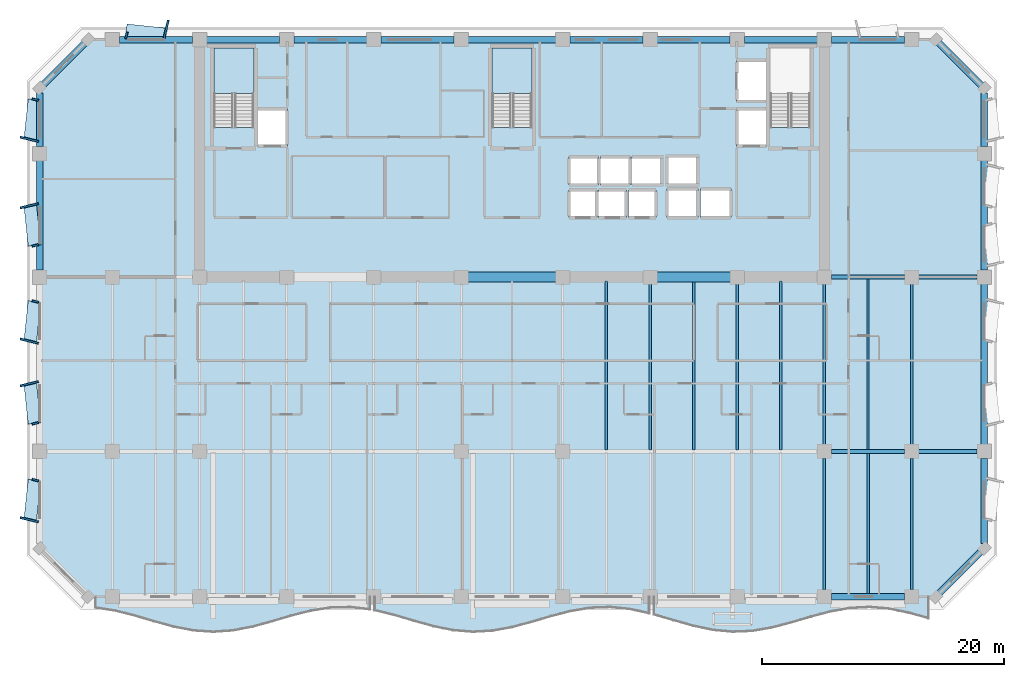
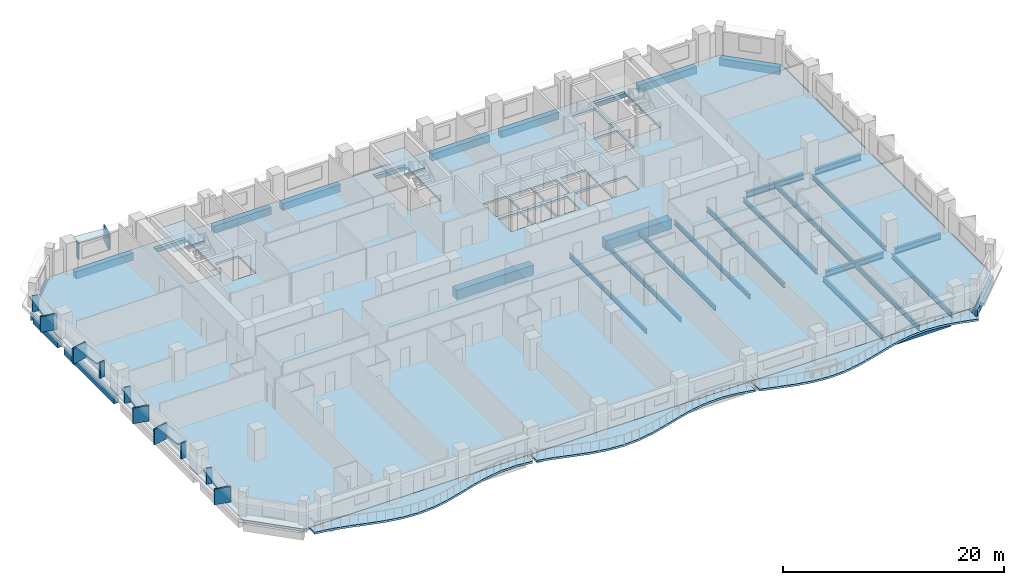
# One storey, part 2 of 15: 36 beams, 18 plates, 6 slabs, 2 elements without a shape of their own.
"""IFC4 building model written with IfcOpenShell, lengths in metres."""

from ifc_helpers import new_model, si_unit, direction, frame, origin, origin_2d, place, context, subcontext, project, spatial, polyline, rectangle, i_section, outline, extrude, material, layer, layer_set, material_profile, profile_set, type_object, element, aggregate, save


model = new_model("IFC4")

# Units and contexts
model_context = context("Model", 3, precision=1e-05, world=origin(), true_north=direction((0.0, 1.0)))
body_context = subcontext(model_context, "Body", "Model", "MODEL_VIEW")
ifc_project = project(units=[si_unit("LENGTHUNIT", "METRE"), si_unit("AREAUNIT", "SQUARE_METRE"), si_unit("VOLUMEUNIT", "CUBIC_METRE"), si_unit("PLANEANGLEUNIT", "RADIAN"), si_unit("MASSUNIT", "GRAM", prefix="KILO")], contexts=[model_context])

# Site, building, storey
site_placement = place(None, origin())
site = spatial("IfcSite", under=ifc_project, at=site_placement, CompositionType="ELEMENT")
building_placement = place(site_placement, origin())
building = spatial("IfcBuilding", under=site, at=building_placement, Name="Kaelvorn Grand Hotel", CompositionType="ELEMENT")
storey_placement = place(building_placement, frame((0.0, 0.0, 180.949951171875)))
storey = spatial("IfcBuildingStorey", under=building, at=storey_placement, Name="L44", CompositionType="ELEMENT", Elevation=180.949951171875)

# Beams
ifc_material_1 = material(Name="Steel S355", Category="steel")
ifc_material_profile_1 = material_profile(ifc_material_1, i_section(OverallWidth=0.300048828125, OverallDepth=0.64990234375, WebThickness=0.01611328125, FlangeThickness=0.031005859375, FilletRadius=0.027099609375, at=origin_2d()), Name="HEB 650")
ifc_profile_set_1 = profile_set([ifc_material_profile_1], Name="Steel S355")
beam_type_1 = type_object("IfcBeamType", Name="BM-G-HEB650-S355", PredefinedType="BEAM", material=ifc_profile_set_1)
beam_1_placement = place(storey_placement, frame((68.385009765625, 15.0, -0.56494140625), z_axis=(1.0, 0.0, 0.0), x_axis=(0.0, 1.0, 0.0)))
element("IfcBeam", 1, at=beam_1_placement, inside=storey, type_object=beam_type_1, Name="L44 Primary Spine Steel Girder G-15 06", PredefinedType="BEAM", context=body_context, shape_type="SweptSolid", body=[
    extrude(i_section(OverallWidth=0.300048828125, OverallDepth=0.64990234375, WebThickness=0.01611328125, FlangeThickness=0.031005859375, FilletRadius=0.027099609375, at=origin_2d()), origin(), (0.0, 0.0, 1.0), 6.030029296875),
])
beam_2_placement = place(storey_placement, frame((75.5849609375, 15.0, -0.56494140625), z_axis=(1.0, 0.0, 0.0), x_axis=(0.0, 1.0, 0.0)))
element("IfcBeam", 2, at=beam_2_placement, inside=storey, type_object=beam_type_1, Name="L44 Primary Spine Steel Girder G-15 07", PredefinedType="BEAM", context=body_context, shape_type="SweptSolid", body=[
    extrude(i_section(OverallWidth=0.300048828125, OverallDepth=0.64990234375, WebThickness=0.01611328125, FlangeThickness=0.031005859375, FilletRadius=0.027099609375, at=origin_2d()), origin(), (0.0, 0.0, 1.0), 4.830078125),
])
beam_3_placement = place(storey_placement, frame((68.385009765625, 29.39990234375, -0.56494140625), z_axis=(1.0, 0.0, 0.0), x_axis=(0.0, 1.0, 0.0)))
element("IfcBeam", 3, at=beam_3_placement, inside=storey, type_object=beam_type_1, Name="L44 East Core Wing Steel Girder G-29E 01", PredefinedType="BEAM", context=body_context, shape_type="SweptSolid", body=[
    extrude(i_section(OverallWidth=0.300048828125, OverallDepth=0.64990234375, WebThickness=0.01611328125, FlangeThickness=0.031005859375, FilletRadius=0.027099609375, at=origin_2d()), origin(), (0.0, 0.0, 1.0), 6.030029296875),
])
beam_4_placement = place(storey_placement, frame((75.5849609375, 29.39990234375, -0.56494140625), z_axis=(1.0, 0.0, 0.0), x_axis=(0.0, 1.0, 0.0)))
element("IfcBeam", 4, at=beam_4_placement, inside=storey, type_object=beam_type_1, Name="L44 East Core Wing Steel Girder G-29E 02", PredefinedType="BEAM", context=body_context, shape_type="SweptSolid", body=[
    extrude(i_section(OverallWidth=0.300048828125, OverallDepth=0.64990234375, WebThickness=0.01611328125, FlangeThickness=0.031005859375, FilletRadius=0.027099609375, at=origin_2d()), origin(), (0.0, 0.0, 1.0), 4.830078125),
])
ifc_material_profile_2 = material_profile(ifc_material_1, i_section(OverallWidth=0.199951171875, OverallDepth=0.5, WebThickness=0.01025390625, FlangeThickness=0.01611328125, FilletRadius=0.02099609375, at=origin_2d()), Name="IPE 500")
ifc_profile_set_2 = profile_set([ifc_material_profile_2], Name="Steel S355")
beam_type_2 = type_object("IfcBeamType", Name="BM-J-IPE500-S355", PredefinedType="JOIST", material=ifc_profile_set_2)
beam_5_placement = place(storey_placement, frame((49.800048828125, 15.135009765625, -0.489990234375), z_axis=(0.0, 1.0, 0.0), x_axis=(-1.0, 0.0, 0.0)))
element("IfcBeam", 5, at=beam_5_placement, inside=storey, type_object=beam_type_2, Name="L44 Composite Floor Joist JM-14", PredefinedType="JOIST", context=body_context, shape_type="SweptSolid", body=[
    extrude(i_section(OverallWidth=0.199951171875, OverallDepth=0.5, WebThickness=0.01025390625, FlangeThickness=0.01611328125, FilletRadius=0.02099609375, at=origin_2d()), origin(), (0.0, 0.0, 1.0), 13.925048828125),
])
beam_6_placement = place(storey_placement, frame((53.39990234375, 15.135009765625, -0.489990234375), z_axis=(0.0, 1.0, 0.0), x_axis=(-1.0, 0.0, 0.0)))
element("IfcBeam", 6, at=beam_6_placement, inside=storey, type_object=beam_type_2, Name="L44 Composite Floor Joist JM-15", PredefinedType="JOIST", context=body_context, shape_type="SweptSolid", body=[
    extrude(i_section(OverallWidth=0.199951171875, OverallDepth=0.5, WebThickness=0.01025390625, FlangeThickness=0.01611328125, FilletRadius=0.02099609375, at=origin_2d()), origin(), (0.0, 0.0, 1.0), 13.679931640625),
])
beam_7_placement = place(storey_placement, frame((57.0, 15.135009765625, -0.489990234375), z_axis=(0.0, 1.0, 0.0), x_axis=(-1.0, 0.0, 0.0)))
element("IfcBeam", 7, at=beam_7_placement, inside=storey, type_object=beam_type_2, Name="L44 Composite Floor Joist JM-16", PredefinedType="JOIST", context=body_context, shape_type="SweptSolid", body=[
    extrude(i_section(OverallWidth=0.199951171875, OverallDepth=0.5, WebThickness=0.01025390625, FlangeThickness=0.01611328125, FilletRadius=0.02099609375, at=origin_2d()), origin(), (0.0, 0.0, 1.0), 13.925048828125),
])
beam_8_placement = place(storey_placement, frame((60.60009765625, 15.135009765625, -0.489990234375), z_axis=(0.0, 1.0, 0.0), x_axis=(-1.0, 0.0, 0.0)))
element("IfcBeam", 8, at=beam_8_placement, inside=storey, type_object=beam_type_2, Name="L44 Composite Floor Joist JM-17", PredefinedType="JOIST", context=body_context, shape_type="SweptSolid", body=[
    extrude(i_section(OverallWidth=0.199951171875, OverallDepth=0.5, WebThickness=0.01025390625, FlangeThickness=0.01611328125, FilletRadius=0.02099609375, at=origin_2d()), origin(), (0.0, 0.0, 1.0), 13.679931640625),
])
beam_9_placement = place(storey_placement, frame((64.199951171875, 15.135009765625, -0.489990234375), z_axis=(0.0, 1.0, 0.0), x_axis=(-1.0, 0.0, 0.0)))
element("IfcBeam", 9, at=beam_9_placement, inside=storey, type_object=beam_type_2, Name="L44 Composite Floor Joist JM-18", PredefinedType="JOIST", context=body_context, shape_type="SweptSolid", body=[
    extrude(i_section(OverallWidth=0.199951171875, OverallDepth=0.5, WebThickness=0.01025390625, FlangeThickness=0.01611328125, FilletRadius=0.02099609375, at=origin_2d()), origin(), (0.0, 0.0, 1.0), 13.925048828125),
])
beam_10_placement = place(storey_placement, frame((67.800048828125, 15.5849609375, -0.489990234375), z_axis=(0.0, 1.0, 0.0), x_axis=(-1.0, 0.0, 0.0)))
element("IfcBeam", 10, at=beam_10_placement, inside=storey, type_object=beam_type_2, Name="L44 Composite Floor Joist JM-19", PredefinedType="JOIST", context=body_context, shape_type="SweptSolid", body=[
    extrude(i_section(OverallWidth=0.199951171875, OverallDepth=0.5, WebThickness=0.01025390625, FlangeThickness=0.01611328125, FilletRadius=0.02099609375, at=origin_2d()), origin(), (0.0, 0.0, 1.0), 13.22998046875),
])
beam_11_placement = place(storey_placement, frame((71.39990234375, 15.135009765625, -0.489990234375), z_axis=(0.0, 1.0, 0.0), x_axis=(-1.0, 0.0, 0.0)))
element("IfcBeam", 11, at=beam_11_placement, inside=storey, type_object=beam_type_2, Name="L44 Composite Floor Joist JM-20", PredefinedType="JOIST", context=body_context, shape_type="SweptSolid", body=[
    extrude(i_section(OverallWidth=0.199951171875, OverallDepth=0.5, WebThickness=0.01025390625, FlangeThickness=0.01611328125, FilletRadius=0.02099609375, at=origin_2d()), origin(), (0.0, 0.0, 1.0), 14.1298828125),
])
beam_12_placement = place(storey_placement, frame((75.0, 15.5849609375, -0.489990234375), z_axis=(0.0, 1.0, 0.0), x_axis=(-1.0, 0.0, 0.0)))
element("IfcBeam", 12, at=beam_12_placement, inside=storey, type_object=beam_type_2, Name="L44 Composite Floor Joist JM-21", PredefinedType="JOIST", context=body_context, shape_type="SweptSolid", body=[
    extrude(i_section(OverallWidth=0.199951171875, OverallDepth=0.5, WebThickness=0.01025390625, FlangeThickness=0.01611328125, FilletRadius=0.02099609375, at=origin_2d()), origin(), (0.0, 0.0, 1.0), 13.22998046875),
])
ifc_material_profile_3 = material_profile(ifc_material_1, i_section(OverallWidth=0.2099609375, OverallDepth=0.550048828125, WebThickness=0.010986328125, FlangeThickness=0.01708984375, FilletRadius=0.02392578125, at=origin_2d()), Name="IPE 550")
ifc_profile_set_3 = profile_set([ifc_material_profile_3], Name="Steel S355")
beam_type_3 = type_object("IfcBeamType", Name="BM-J-IPE550-S355", PredefinedType="JOIST", material=ifc_profile_set_3)
beam_13_placement = place(storey_placement, frame((67.800048828125, 3.5849609375, -0.514892578125), z_axis=(0.0, 1.0, 0.0), x_axis=(-1.0, 0.0, 0.0)))
element("IfcBeam", 13, at=beam_13_placement, inside=storey, type_object=beam_type_3, Name="L44 Composite Floor Joist JS-19", PredefinedType="JOIST", context=body_context, shape_type="SweptSolid", body=[
    extrude(i_section(OverallWidth=0.2099609375, OverallDepth=0.550048828125, WebThickness=0.010986328125, FlangeThickness=0.01708984375, FilletRadius=0.02392578125, at=origin_2d()), origin(), (0.0, 0.0, 1.0), 10.830078125),
])
beam_14_placement = place(storey_placement, frame((71.39990234375, 3.260009765625, -0.514892578125), z_axis=(0.0, 1.0, 0.0), x_axis=(-1.0, 0.0, 0.0)))
element("IfcBeam", 14, at=beam_14_placement, inside=storey, type_object=beam_type_3, Name="L44 Composite Floor Joist JS-20", PredefinedType="JOIST", context=body_context, shape_type="SweptSolid", body=[
    extrude(i_section(OverallWidth=0.2099609375, OverallDepth=0.550048828125, WebThickness=0.010986328125, FlangeThickness=0.01708984375, FilletRadius=0.02392578125, at=origin_2d()), origin(), (0.0, 0.0, 1.0), 11.60498046875),
])
beam_15_placement = place(storey_placement, frame((75.0, 3.5849609375, -0.514892578125), z_axis=(0.0, 1.0, 0.0), x_axis=(-1.0, 0.0, 0.0)))
element("IfcBeam", 15, at=beam_15_placement, inside=storey, type_object=beam_type_3, Name="L44 Composite Floor Joist JS-21", PredefinedType="JOIST", context=body_context, shape_type="SweptSolid", body=[
    extrude(i_section(OverallWidth=0.2099609375, OverallDepth=0.550048828125, WebThickness=0.010986328125, FlangeThickness=0.01708984375, FilletRadius=0.02392578125, at=origin_2d()), origin(), (0.0, 0.0, 1.0), 10.830078125),
])
ifc_material_2 = material(Name="Concrete C60/75", Category="concrete")
ifc_material_profile_4 = material_profile(ifc_material_2, rectangle(XDim=0.800048828125, YDim=1.10009765625, at=origin_2d()), Name="RC LINTEL 800x1100")
ifc_profile_set_4 = profile_set([ifc_material_profile_4], Name="Concrete C60/75")
beam_type_4 = type_object("IfcBeamType", Name="BM-LIN-800x1100-C60", PredefinedType="LINTEL", material=ifc_profile_set_4)
beam_16_placement = place(storey_placement, frame((37.97998046875, 29.39990234375, -0.7900390625), z_axis=(1.0, 0.0, 0.0), x_axis=(0.0, 1.0, 0.0)))
element("IfcBeam", 16, at=beam_16_placement, inside=storey, type_object=beam_type_4, Name="L44 Rear-Core Coupling Lintel Beam CB1-02", PredefinedType="LINTEL", context=body_context, shape_type="SweptSolid", body=[
    extrude(rectangle(XDim=0.800048828125, YDim=1.10009765625, at=origin_2d()), origin(), (0.0, 0.0, 1.0), 8.0400390625),
])
beam_17_placement = place(storey_placement, frame((53.580078125, 29.39990234375, -0.7900390625), z_axis=(1.0, 0.0, 0.0), x_axis=(0.0, 1.0, 0.0)))
element("IfcBeam", 17, at=beam_17_placement, inside=storey, type_object=beam_type_4, Name="L44 Rear-Core Coupling Lintel Beam CB1-03", PredefinedType="LINTEL", context=body_context, shape_type="SweptSolid", body=[
    extrude(rectangle(XDim=0.800048828125, YDim=1.10009765625, at=origin_2d()), origin(), (0.0, 0.0, 1.0), 6.83984375),
])
ifc_material_3 = material(Name="Concrete C50/60", Category="concrete")
ifc_material_profile_5 = material_profile(ifc_material_3, rectangle(XDim=0.550048828125, YDim=0.800048828125, at=origin_2d()), Name="RC SPANDREL 550x800")
ifc_profile_set_5 = profile_set([ifc_material_profile_5], Name="Concrete C50/60")
beam_type_5 = type_object("IfcBeamType", Name="BM-SP-550x800-C50", PredefinedType="SPANDREL", material=ifc_profile_set_5)
for number, where, z_axis, x_axis, name in (
    (18, (68.385009765625, 3.0, -0.639892578125), (1.0, 0.0, 0.0), (0.0, 1.0, 0.0), "L44 South Perimeter Spandrel 10"),
    (19, (9.5849609375, 49.0, -0.639892578125), (1.0, 0.0, 0.0), (0.0, 1.0, 0.0), "L44 North Perimeter Spandrel 02"),
    (20, (16.784912109375, 49.0, -0.639892578125), (1.0, 0.0, 0.0), (0.0, 1.0, 0.0), "L44 North Perimeter Spandrel 03"),
):
    element("IfcBeam", number, at=place(storey_placement, frame(where, z_axis=z_axis, x_axis=x_axis)), inside=storey, type_object=beam_type_5, Name=name, PredefinedType="SPANDREL", context=body_context, shape_type="SweptSolid", body=[
        extrude(rectangle(XDim=0.550048828125, YDim=0.800048828125, at=origin_2d()), origin(), (0.0, 0.0, 1.0), 6.030029296875),
    ])
beam_18_placement = place(storey_placement, frame((23.985107421875, 49.0, -0.639892578125), z_axis=(1.0, 0.0, 0.0), x_axis=(0.0, 1.0, 0.0)))
element("IfcBeam", 21, at=beam_18_placement, inside=storey, type_object=beam_type_5, Name="L44 North Perimeter Spandrel 04", PredefinedType="SPANDREL", context=body_context, shape_type="SweptSolid", body=[
    extrude(rectangle(XDim=0.550048828125, YDim=0.800048828125, at=origin_2d()), origin(), (0.0, 0.0, 1.0), 6.02978515625),
])
beam_19_placement = place(storey_placement, frame((31.18505859375, 49.0, -0.639892578125), z_axis=(1.0, 0.0, 0.0), x_axis=(0.0, 1.0, 0.0)))
element("IfcBeam", 22, at=beam_19_placement, inside=storey, type_object=beam_type_5, Name="L44 North Perimeter Spandrel 05", PredefinedType="SPANDREL", context=body_context, shape_type="SweptSolid", body=[
    extrude(rectangle(XDim=0.550048828125, YDim=0.800048828125, at=origin_2d()), origin(), (0.0, 0.0, 1.0), 6.030029296875),
])
beam_20_placement = place(storey_placement, frame((38.385009765625, 49.0, -0.639892578125), z_axis=(1.0, 0.0, 0.0), x_axis=(0.0, 1.0, 0.0)))
element("IfcBeam", 23, at=beam_20_placement, inside=storey, type_object=beam_type_5, Name="L44 North Perimeter Spandrel 06", PredefinedType="SPANDREL", context=body_context, shape_type="SweptSolid", body=[
    extrude(rectangle(XDim=0.550048828125, YDim=0.800048828125, at=origin_2d()), origin(), (0.0, 0.0, 1.0), 7.22998046875),
])
beam_21_placement = place(storey_placement, frame((46.784912109375, 49.0, -0.639892578125), z_axis=(1.0, 0.0, 0.0), x_axis=(0.0, 1.0, 0.0)))
element("IfcBeam", 24, at=beam_21_placement, inside=storey, type_object=beam_type_5, Name="L44 North Perimeter Spandrel 07", PredefinedType="SPANDREL", context=body_context, shape_type="SweptSolid", body=[
    extrude(rectangle(XDim=0.550048828125, YDim=0.800048828125, at=origin_2d()), origin(), (0.0, 0.0, 1.0), 6.030029296875),
])
beam_22_placement = place(storey_placement, frame((53.985107421875, 49.0, -0.639892578125), z_axis=(1.0, 0.0, 0.0), x_axis=(0.0, 1.0, 0.0)))
element("IfcBeam", 25, at=beam_22_placement, inside=storey, type_object=beam_type_5, Name="L44 North Perimeter Spandrel 08", PredefinedType="SPANDREL", context=body_context, shape_type="SweptSolid", body=[
    extrude(rectangle(XDim=0.550048828125, YDim=0.800048828125, at=origin_2d()), origin(), (0.0, 0.0, 1.0), 6.02978515625),
])
for number, where, z_axis, x_axis, name in (
    (26, (61.18505859375, 49.0, -0.639892578125), (1.0, 0.0, 0.0), (0.0, 1.0, 0.0), "L44 North Perimeter Spandrel 09"),
    (27, (68.385009765625, 49.0, -0.639892578125), (1.0, 0.0, 0.0), (0.0, 1.0, 0.0), "L44 North Perimeter Spandrel 10"),
):
    element("IfcBeam", number, at=place(storey_placement, frame(where, z_axis=z_axis, x_axis=x_axis)), inside=storey, type_object=beam_type_5, Name=name, PredefinedType="SPANDREL", context=body_context, shape_type="SweptSolid", body=[
        extrude(rectangle(XDim=0.550048828125, YDim=0.800048828125, at=origin_2d()), origin(), (0.0, 0.0, 1.0), 6.030029296875),
    ])
beam_23_placement = place(storey_placement, frame((3.0, 29.985107421875, -0.639892578125), z_axis=(0.0, 1.0, 0.0), x_axis=(-1.0, 0.0, 0.0)))
element("IfcBeam", 28, at=beam_23_placement, inside=storey, type_object=beam_type_5, Name="L44 West Perimeter Spandrel 03", PredefinedType="SPANDREL", context=body_context, shape_type="SweptSolid", body=[
    extrude(rectangle(XDim=0.550048828125, YDim=0.800048828125, at=origin_2d()), origin(), (0.0, 0.0, 1.0), 9.02978515625),
])
beam_24_placement = place(storey_placement, frame((3.0, 40.18505859375, -0.639892578125), z_axis=(0.0, 1.0, 0.0), x_axis=(-1.0, 0.0, 0.0)))
element("IfcBeam", 29, at=beam_24_placement, inside=storey, type_object=beam_type_5, Name="L44 West Perimeter Spandrel 04", PredefinedType="SPANDREL", context=body_context, shape_type="SweptSolid", body=[
    extrude(rectangle(XDim=0.550048828125, YDim=0.800048828125, at=origin_2d()), origin(), (0.0, 0.0, 1.0), 4.409912109375),
])
beam_25_placement = place(storey_placement, frame((81.0, 7.405029296875, -0.639892578125), z_axis=(0.0, 1.0, 0.0), x_axis=(-1.0, 0.0, 0.0)))
element("IfcBeam", 30, at=beam_25_placement, inside=storey, type_object=beam_type_5, Name="L44 East Perimeter Spandrel 01", PredefinedType="SPANDREL", context=body_context, shape_type="SweptSolid", body=[
    extrude(rectangle(XDim=0.550048828125, YDim=0.800048828125, at=origin_2d()), origin(), (0.0, 0.0, 1.0), 7.010009765625),
])
beam_26_placement = place(storey_placement, frame((81.0, 15.5849609375, -0.639892578125), z_axis=(0.0, 1.0, 0.0), x_axis=(-1.0, 0.0, 0.0)))
element("IfcBeam", 31, at=beam_26_placement, inside=storey, type_object=beam_type_5, Name="L44 East Perimeter Spandrel 02", PredefinedType="SPANDREL", context=body_context, shape_type="SweptSolid", body=[
    extrude(rectangle(XDim=0.550048828125, YDim=0.800048828125, at=origin_2d()), origin(), (0.0, 0.0, 1.0), 13.22998046875),
])
beam_27_placement = place(storey_placement, frame((81.0, 29.985107421875, -0.639892578125), z_axis=(0.0, 1.0, 0.0), x_axis=(-1.0, 0.0, 0.0)))
element("IfcBeam", 32, at=beam_27_placement, inside=storey, type_object=beam_type_5, Name="L44 East Perimeter Spandrel 03", PredefinedType="SPANDREL", context=body_context, shape_type="SweptSolid", body=[
    extrude(rectangle(XDim=0.550048828125, YDim=0.800048828125, at=origin_2d()), origin(), (0.0, 0.0, 1.0), 9.02978515625),
])
beam_28_placement = place(storey_placement, frame((81.0, 40.18505859375, -0.639892578125), z_axis=(0.0, 1.0, 0.0), x_axis=(-1.0, 0.0, 0.0)))
element("IfcBeam", 33, at=beam_28_placement, inside=storey, type_object=beam_type_5, Name="L44 East Perimeter Spandrel 04", PredefinedType="SPANDREL", context=body_context, shape_type="SweptSolid", body=[
    extrude(rectangle(XDim=0.550048828125, YDim=0.800048828125, at=origin_2d()), origin(), (0.0, 0.0, 1.0), 4.409912109375),
])
for number, where, z_axis, x_axis, name in (
    (34, (77.0, 3.0, -0.639892578125), (0.707106781187, 0.707106781187, 0.0), (-0.707106781187, 0.707106781187, 0.0), "L44 Chamfer Spandrel Beam 1"),
    (35, (81.0, 45.0, -0.639892578125), (-0.707106781187, 0.707106781187, 0.0), (-0.707106781187, -0.707106781187, 0.0), "L44 Chamfer Spandrel Beam 2"),
    (36, (7.0, 49.0, -0.639892578125), (-0.707106781187, -0.707106781187, 0.0), (0.707106781187, -0.707106781187, 0.0), "L44 Chamfer Spandrel Beam 3"),
):
    element("IfcBeam", number, at=place(storey_placement, frame(where, z_axis=z_axis, x_axis=x_axis)), inside=storey, type_object=beam_type_5, Name=name, PredefinedType="SPANDREL", context=body_context, shape_type="SweptSolid", body=[
        extrude(rectangle(XDim=0.550048828125, YDim=0.800048828125, at=origin_2d()), origin(), (0.0, 0.0, 1.0), 5.65673828125),
    ])

# Plates
ifc_material_4 = material(Name="Precast concrete C45/55", Category="concrete")
ifc_layer_1 = layer(ifc_material_4, 0.159912109375)
ifc_layer_set_1 = layer_set([ifc_layer_1], Name="Precast concrete C45/55")
plate_type_1 = type_object("IfcPlateType", Name="PL-FRAME-DEEP-1550", PredefinedType="USERDEFINED", material=ifc_layer_set_1)
for number, where, z_axis, x_axis, name in (
    (37, (2.14501953125, 9.360107421875, 0.740234375), (0.0, 0.0, 1.0), (0.233445363856, 0.972369920398, 0.0), "L44 Tilted Precast Window Frame Fin L-W01"),
    (38, (2.14501953125, 20.590087890625, 0.740234375), (0.0, 0.0, 1.0), (-0.233445363856, 0.972369920398, 0.0), "L44 Tilted Precast Window Frame Fin R-W02"),
    (39, (2.14501953125, 24.110107421875, 0.740234375), (0.0, 0.0, 1.0), (0.233445363856, 0.972369920398, 0.0), "L44 Tilted Precast Window Frame Fin L-W03"),
    (40, (2.14501953125, 35.2900390625, 0.740234375), (0.0, 0.0, 1.0), (-0.233445363856, 0.972369920398, 0.0), "L44 Tilted Precast Window Frame Fin R-W04"),
    (41, (2.14501953125, 40.77490234375, 0.740234375), (0.0, 0.0, 1.0), (0.233445363856, 0.972369920398, 0.0), "L44 Tilted Precast Window Frame Fin L-W05"),
    (42, (13.43994140625, 49.85498046875, 0.740234375), (0.0, 0.0, 1.0), (0.972369920398, -0.233445363856, 0.0), "L44 Tilted Precast Window Frame Fin R-N01"),
):
    element("IfcPlate", number, at=place(storey_placement, frame(where, z_axis=z_axis, x_axis=x_axis)), inside=storey, type_object=plate_type_1, Name=name, ObjectType="FLANGE_PLATE", PredefinedType="USERDEFINED", context=body_context, shape_type="SweptSolid", body=[
        extrude(rectangle(XDim=0.159912109375, YDim=1.550048828125, at=origin_2d()), origin(), (0.0, 0.0, 1.0), 1.719970703125),
    ])
ifc_layer_2 = layer(ifc_material_4, 0.159912109375)
ifc_layer_set_2 = layer_set([ifc_layer_2], Name="Precast concrete C45/55")
plate_type_2 = type_object("IfcPlateType", Name="PL-FRAME-HEAD-1050", PredefinedType="USERDEFINED", material=ifc_layer_set_2)
for number, where, z_axis, x_axis, name in (
    (43, (2.39501953125, 11.0, 2.35009765625), (0.0, 0.0, 1.0), (0.105830199459, 0.994384215926, 0.0), "L44 Precast Window Frame Head Hood H-W01"),
    (44, (2.39501953125, 18.949951171875, 2.35009765625), (0.0, 0.0, 1.0), (-0.105830199459, 0.994384215926, 0.0), "L44 Precast Window Frame Head Hood H-W02"),
    (45, (2.39501953125, 25.75, 2.35009765625), (0.0, 0.0, 1.0), (0.105830199459, 0.994384215926, 0.0), "L44 Precast Window Frame Head Hood H-W03"),
    (46, (2.39501953125, 33.64990234375, 2.35009765625), (0.0, 0.0, 1.0), (-0.105830199459, 0.994384215926, 0.0), "L44 Precast Window Frame Head Hood H-W04"),
    (47, (2.39501953125, 42.4150390625, 2.35009765625), (0.0, 0.0, 1.0), (0.105830199459, 0.994384215926, 0.0), "L44 Precast Window Frame Head Hood H-W05"),
    (48, (11.800048828125, 49.60498046875, 2.35009765625), (0.0, 0.0, 1.0), (0.994384215926, -0.105830199459, 0.0), "L44 Precast Window Frame Head Hood H-N01"),
):
    element("IfcPlate", number, at=place(storey_placement, frame(where, z_axis=z_axis, x_axis=x_axis)), inside=storey, type_object=plate_type_2, Name=name, ObjectType="FLANGE_PLATE", PredefinedType="USERDEFINED", context=body_context, shape_type="SweptSolid", body=[
        extrude(rectangle(XDim=3.320068359375, YDim=1.050048828125, at=origin_2d()), origin(), (0.0, 0.0, 1.0), 0.159912109375),
    ])
ifc_layer_3 = layer(ifc_material_4, 0.159912109375)
ifc_layer_set_3 = layer_set([ifc_layer_3], Name="Precast concrete C45/55")
plate_type_3 = type_object("IfcPlateType", Name="PL-FRAME-SHAL-550", PredefinedType="USERDEFINED", material=ifc_layer_set_3)
for number, where, z_axis, x_axis, name in (
    (49, (2.64501953125, 12.639892578125, 0.740234375), (0.0, 0.0, 1.0), (0.233445363856, 0.972369920398, 0.0), "L44 Tilted Precast Window Frame Fin R-W01"),
    (50, (2.64501953125, 17.31005859375, 0.740234375), (0.0, 0.0, 1.0), (-0.233445363856, 0.972369920398, 0.0), "L44 Tilted Precast Window Frame Fin L-W02"),
    (51, (2.64501953125, 27.389892578125, 0.740234375), (0.0, 0.0, 1.0), (0.233445363856, 0.972369920398, 0.0), "L44 Tilted Precast Window Frame Fin R-W03"),
    (52, (2.64501953125, 32.010009765625, 0.740234375), (0.0, 0.0, 1.0), (-0.233445363856, 0.972369920398, 0.0), "L44 Tilted Precast Window Frame Fin L-W04"),
    (53, (2.64501953125, 44.054931640625, 0.740234375), (0.0, 0.0, 1.0), (0.233445363856, 0.972369920398, 0.0), "L44 Tilted Precast Window Frame Fin R-W05"),
    (54, (10.159912109375, 49.35498046875, 0.740234375), (0.0, 0.0, 1.0), (0.972369920398, -0.233445363856, 0.0), "L44 Tilted Precast Window Frame Fin L-N01"),
):
    element("IfcPlate", number, at=place(storey_placement, frame(where, z_axis=z_axis, x_axis=x_axis)), inside=storey, type_object=plate_type_3, Name=name, ObjectType="FLANGE_PLATE", PredefinedType="USERDEFINED", context=body_context, shape_type="SweptSolid", body=[
        extrude(rectangle(XDim=0.159912109375, YDim=0.550048828125, at=origin_2d()), origin(), (0.0, 0.0, 1.0), 1.719970703125),
    ])

# Slabs
ifc_material_5 = material(Name="Concrete C40/50", Category="concrete")
ifc_layer_4 = layer(ifc_material_5, 0.219970703125)
ifc_layer_set_4 = layer_set([ifc_layer_4], Name="Concrete C40/50")
slab_type_1 = type_object("IfcSlabType", Name="SLB-BALC-220-C40", PredefinedType="FLOOR", material=ifc_layer_set_4)
slab_1_placement = place(storey_placement, frame((0.0, 0.0, -0.219970703125)))
element("IfcSlab", 55, at=slab_1_placement, inside=storey, type_object=slab_type_1, Name="L44 Scalloped Wave Balcony Slab 1", PredefinedType="FLOOR", context=body_context, shape_type="SweptSolid", body=[
    extrude(outline(polyline([(7.60009765625, 2.099853515625), (9.218994140625, 1.85009765625), (10.838134765625, 1.4423828125), (12.45703125, 0.965576171875), (14.076171875, 0.5234375), (15.6953125, 0.21240234375), (17.314208984375, 0.10009765625), (18.933349609375, 0.2109375), (20.552490234375, 0.520751953125), (22.17138671875, 0.962158203125), (23.79052734375, 1.43896484375), (25.409423828125, 1.84765625), (27.028564453125, 2.098876953125), (28.647705078125, 2.137939453125), (30.2666015625, 1.95654296875), (30.2666015625, 3.0), (7.60009765625, 3.0), (7.60009765625, 2.099853515625)])), origin(), (0.0, 0.0, 1.0), 0.219970703125),
])
slab_2_placement = place(storey_placement, frame((0.0, 0.0, -0.219970703125)))
element("IfcSlab", 56, at=slab_2_placement, inside=storey, type_object=slab_type_1, Name="L44 Scalloped Wave Balcony Slab 2", PredefinedType="FLOOR", context=body_context, shape_type="SweptSolid", body=[
    extrude(outline(polyline([(30.666748046875, 1.88134765625), (32.28564453125, 1.485107421875), (33.90478515625, 1.010498046875), (35.52392578125, 0.560791015625), (37.142822265625, 0.23388671875), (38.761962890625, 0.10107421875), (40.380859375, 0.191162109375), (42.0, 0.484619140625), (43.619140625, 0.91748046875), (45.238037109375, 1.3955078125), (46.857177734375, 1.814697265625), (48.47607421875, 2.083740234375), (50.09521484375, 2.143798828125), (51.71435546875, 1.982421875), (53.333251953125, 1.634033203125), (53.333251953125, 3.0), (30.666748046875, 3.0), (30.666748046875, 1.88134765625)])), origin(), (0.0, 0.0, 1.0), 0.219970703125),
])
slab_3_placement = place(storey_placement, frame((0.0, 0.0, -0.219970703125)))
element("IfcSlab", 57, at=slab_3_placement, inside=storey, type_object=slab_type_1, Name="L44 Scalloped Wave Balcony Slab 3", PredefinedType="FLOOR", context=body_context, shape_type="SweptSolid", body=[
    extrude(outline(polyline([(53.7333984375, 1.52734375), (55.352294921875, 1.0556640625), (56.971435546875, 0.599365234375), (58.590576171875, 0.25732421875), (60.20947265625, 0.104248046875), (61.82861328125, 0.17333984375), (63.447509765625, 0.44970703125), (65.066650390625, 0.873291015625), (66.685791015625, 1.351318359375), (68.3046875, 1.7802734375), (69.923828125, 2.066650390625), (71.54296875, 2.14794921875), (73.161865234375, 2.00634765625), (74.781005859375, 1.673095703125), (76.39990234375, 1.22021484375), (76.39990234375, 3.0), (53.7333984375, 3.0), (53.7333984375, 1.52734375)])), origin(), (0.0, 0.0, 1.0), 0.219970703125),
])
ifc_layer_5 = layer(ifc_material_5, 0.239990234375)
ifc_layer_set_5 = layer_set([ifc_layer_5], Name="Concrete C40/50")
slab_type_2 = type_object("IfcSlabType", Name="SLB-FLR-240-C40", PredefinedType="FLOOR", material=ifc_layer_set_5)
slab_4_placement = place(storey_placement, frame((0.0, 0.0, -0.239990234375)))
element("IfcSlab", 58, at=slab_4_placement, inside=storey, type_object=slab_type_2, Name="L44 Indoor Suspended Floor Slab", PredefinedType="FLOOR", context=body_context, shape_type="SweptSolid", body=[
    extrude(outline(polyline([(7.0, 3.0), (77.0, 3.0), (81.0, 7.0), (81.0, 45.0), (77.0, 49.0), (7.0, 49.0), (3.0, 45.0), (3.0, 7.0), (7.0, 3.0)]), holes=[polyline([(17.39990234375, 41.760009765625), (17.39990234375, 48.300048828125), (20.679931640625, 48.300048828125), (20.679931640625, 41.760009765625), (17.39990234375, 41.760009765625)]), polyline([(40.360107421875, 41.760009765625), (40.360107421875, 48.300048828125), (43.639892578125, 48.300048828125), (43.639892578125, 41.760009765625), (40.360107421875, 41.760009765625)]), polyline([(63.320068359375, 41.760009765625), (63.320068359375, 48.300048828125), (66.60009765625, 48.300048828125), (66.60009765625, 41.760009765625), (63.320068359375, 41.760009765625)]), polyline([(46.699951171875, 34.300048828125), (46.699951171875, 36.60009765625), (49.0, 36.60009765625), (49.0, 34.300048828125), (46.699951171875, 34.300048828125)]), polyline([(49.14990234375, 34.300048828125), (49.14990234375, 36.60009765625), (51.449951171875, 36.60009765625), (51.449951171875, 34.300048828125), (49.14990234375, 34.300048828125)]), polyline([(51.60009765625, 34.300048828125), (51.60009765625, 36.60009765625), (53.89990234375, 36.60009765625), (53.89990234375, 34.300048828125), (51.60009765625, 34.300048828125)]), polyline([(46.699951171875, 37.0), (46.699951171875, 39.35009765625), (49.14990234375, 39.35009765625), (49.14990234375, 37.0), (46.699951171875, 37.0)]), polyline([(49.300048828125, 37.0), (49.300048828125, 39.35009765625), (51.75, 39.35009765625), (51.75, 37.0), (49.300048828125, 37.0)]), polyline([(51.89990234375, 37.0), (51.89990234375, 39.35009765625), (54.35009765625, 39.35009765625), (54.35009765625, 37.0), (51.89990234375, 37.0)]), polyline([(54.800048828125, 34.300048828125), (54.800048828125, 36.699951171875), (57.35009765625, 36.699951171875), (57.35009765625, 34.300048828125), (54.800048828125, 34.300048828125)]), polyline([(57.550048828125, 34.300048828125), (57.550048828125, 36.699951171875), (60.10009765625, 36.699951171875), (60.10009765625, 34.300048828125), (57.550048828125, 34.300048828125)]), polyline([(54.800048828125, 37.0), (54.800048828125, 39.39990234375), (57.35009765625, 39.39990234375), (57.35009765625, 37.0), (54.800048828125, 37.0)]), polyline([(21.0, 40.199951171875), (21.0, 43.300048828125), (23.449951171875, 43.300048828125), (23.449951171875, 40.199951171875), (21.0, 40.199951171875)]), polyline([(60.550048828125, 40.199951171875), (60.550048828125, 43.300048828125), (63.0, 43.300048828125), (63.0, 40.199951171875), (60.550048828125, 40.199951171875)]), polyline([(60.550048828125, 43.89990234375), (60.550048828125, 47.300048828125), (63.0, 47.300048828125), (63.0, 43.89990234375), (60.550048828125, 43.89990234375)])]), origin(), (0.0, 0.0, 1.0), 0.239990234375),
])

# Stair, slab
stair_type = type_object("IfcStairType", Name="STR-DOG-1560-R08", PredefinedType="HALF_TURN_STAIR", material=ifc_material_5)
stair_1_placement = place(storey_placement, origin())
stair_1 = element("IfcStair", 59, at=stair_1_placement, inside=storey, type_object=stair_type, Name="L44 West Core Exit Stair ST1", PredefinedType="HALF_TURN_STAIR")
ifc_layer_6 = layer(ifc_material_5, 0.199951171875)
ifc_layer_set_6 = layer_set([ifc_layer_6], Name="Concrete C40/50")
slab_type_3 = type_object("IfcSlabType", Name="SLB-LAND-200-C40", PredefinedType="LANDING", material=ifc_layer_set_6)
slab_5_placement = place(storey_placement, frame((0.0, 0.0, 1.699951171875)))
slab_5 = element("IfcSlab", 60, at=slab_5_placement, type_object=slab_type_3, Name="ST1 landing 1", PredefinedType="LANDING", context=body_context, shape_type="SweptSolid", body=[
    extrude(outline(polyline([(20.679931640625, 44.56005859375), (20.679931640625, 48.300048828125), (17.39990234375, 48.300048828125), (17.39990234375, 44.56005859375), (20.679931640625, 44.56005859375)])), origin(), (0.0, 0.0, 1.0), 0.2001953125),
])
aggregate(stair_1, [slab_5])

stair_2_placement = place(storey_placement, origin())
stair_2 = element("IfcStair", 61, at=stair_2_placement, inside=storey, type_object=stair_type, Name="L44 Central Core Exit Stair ST2", PredefinedType="HALF_TURN_STAIR")
slab_6_placement = place(storey_placement, frame((0.0, 0.0, 1.699951171875)))
slab_6 = element("IfcSlab", 62, at=slab_6_placement, type_object=slab_type_3, Name="ST2 landing 1", PredefinedType="LANDING", context=body_context, shape_type="SweptSolid", body=[
    extrude(outline(polyline([(43.639892578125, 44.56005859375), (43.639892578125, 48.300048828125), (40.360107421875, 48.300048828125), (40.360107421875, 44.56005859375), (43.639892578125, 44.56005859375)])), origin(), (0.0, 0.0, 1.0), 0.2001953125),
])
aggregate(stair_2, [slab_6])

save(model, "model.ifc")
